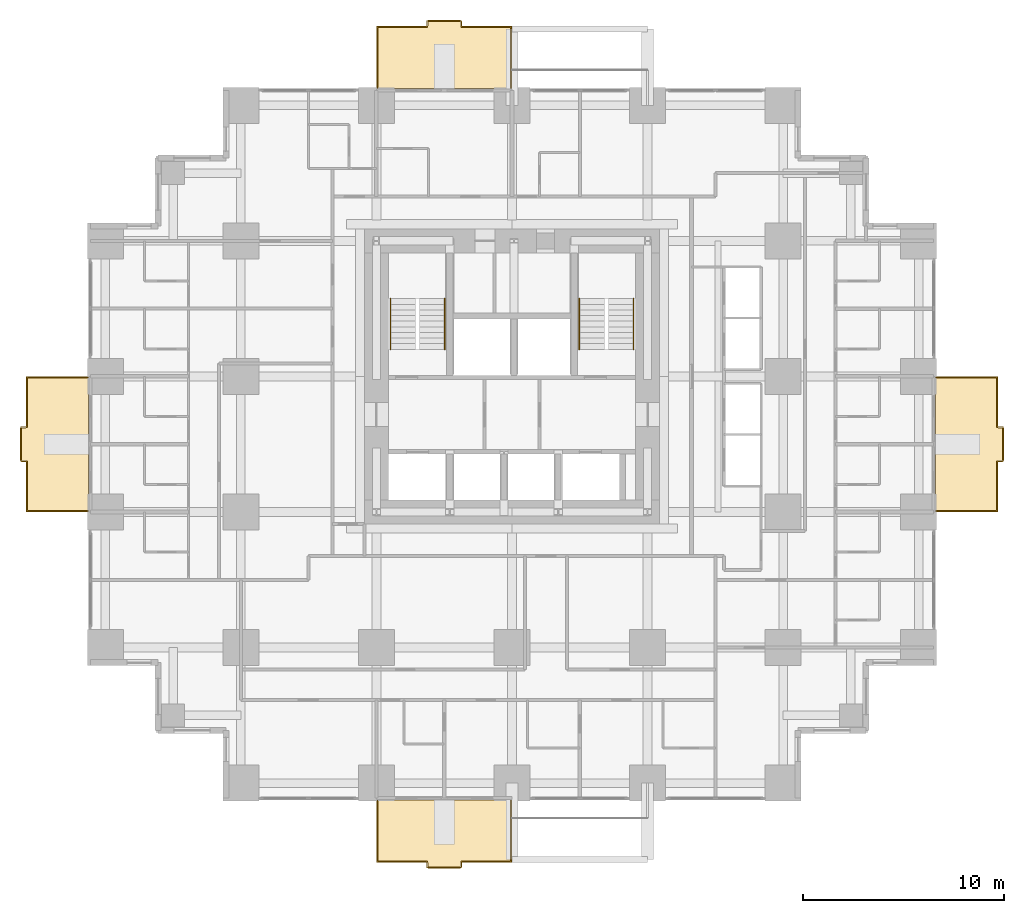
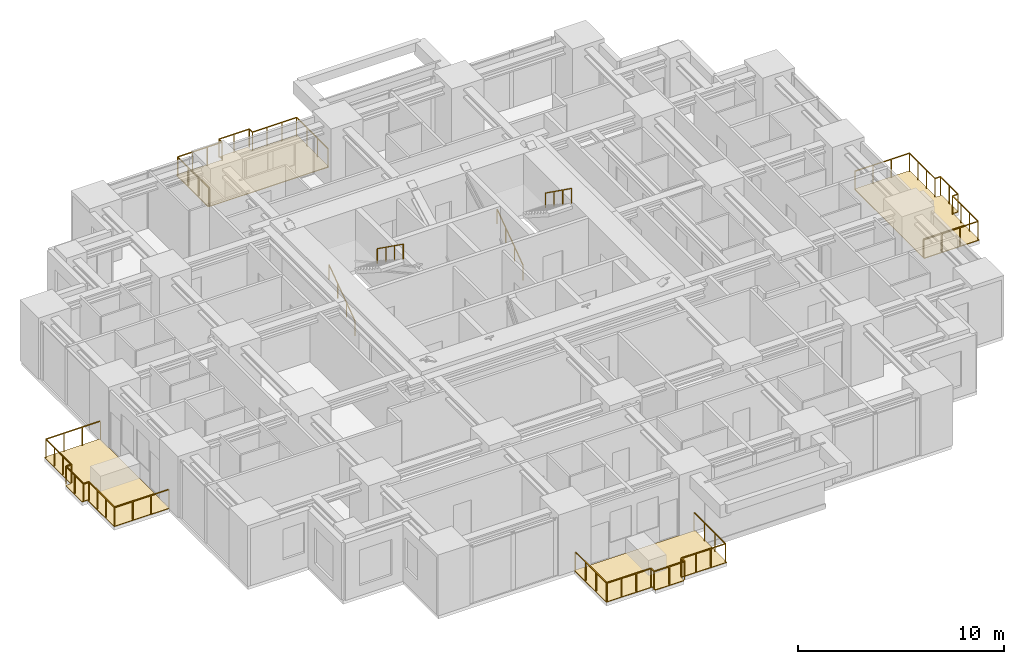
# One storey, part 13 of 13: 8 railings, 4 coverings.
"""IFC4 building model written with IfcOpenShell, lengths in metres."""

import ifcopenshell
import ifcopenshell.guid

model = None  # the IFC model being written
_history = None  # IfcOwnerHistory: only IFC2X3 demands one
_inside = {}  # id of a spatial element -> (the spatial element, [elements in it])
_under = {}  # id of a project, library or spatial element -> (it, [spatial elements below it])
_declared = {}  # id of a project -> (the project, [libraries it declares])
_typed = {}  # id of a type object -> (the type object, [elements of that type])
_made_of = {}  # id of a material, layer set ... -> (it, [elements and type objects made of it])


def new_model(schema):
    """Start an empty IFC model of exactly this schema.

    Asked for "IFC4X3", IfcOpenShell would pick the latest addendum, in which some entities
    have other attributes; the version numbers below select the first issue.
    IFC2X3 requires an IfcOwnerHistory on every rooted entity: one is made here for all.
    """
    global model, _history
    if schema == "IFC4X3":
        model = ifcopenshell.file(schema_version=(4, 3, 0, 0))
    else:
        model = ifcopenshell.file(schema=schema)
    _inside.clear()
    _under.clear()
    _declared.clear()
    _typed.clear()
    _made_of.clear()
    _history = None
    if model.schema == "IFC2X3":
        org = make("IfcOrganization", Name="unknown")
        user = make(
            "IfcPersonAndOrganization",
            ThePerson=make("IfcPerson", FamilyName="unknown"),
            TheOrganization=org,
        )
        app = make(
            "IfcApplication",
            ApplicationDeveloper=org,
            Version="unknown",
            ApplicationFullName="unknown",
            ApplicationIdentifier="unknown",
        )
        _history = make(
            "IfcOwnerHistory",
            OwningUser=user,
            OwningApplication=app,
            ChangeAction="ADDED",
            CreationDate=0,
        )
    return model


def make(cls, **values):
    """One entity of the class cls with the attributes given. An attribute that is None is left unset."""
    return model.create_entity(
        cls, **{name: value for name, value in values.items() if value is not None}
    )


def rooted(cls, **values):
    """An entity with a GlobalId (a new one), such as an element, a storey or a relation."""
    return make(cls, GlobalId=ifcopenshell.guid.new(), OwnerHistory=_history, **values)


def si_unit(unit_type, name, prefix=None):
    """IfcSIUnit, for example si_unit("LENGTHUNIT", "METRE", prefix="MILLI")."""
    return make("IfcSIUnit", UnitType=unit_type, Prefix=prefix, Name=name)


def assignment(units):
    """IfcUnitAssignment: the units of a project."""
    return None if units is None else make("IfcUnitAssignment", Units=units)


def point(xyz):
    """IfcCartesianPoint."""
    return None if xyz is None else make("IfcCartesianPoint", Coordinates=xyz)


def direction(xyz):
    """IfcDirection."""
    return None if xyz is None else make("IfcDirection", DirectionRatios=xyz)


def frame(location, z_axis=None, x_axis=None):
    """IfcAxis2Placement3D, a coordinate frame: its origin and axes. An axis left out is left unset."""
    return make(
        "IfcAxis2Placement3D",
        Location=point(location),
        Axis=direction(z_axis),
        RefDirection=direction(x_axis),
    )


def frame_2d(location, x_axis=None):
    """IfcAxis2Placement2D, a coordinate frame in the plane: its origin and x axis."""
    return make(
        "IfcAxis2Placement2D", Location=point(location), RefDirection=direction(x_axis)
    )


def origin():
    """The frame at (0, 0, 0) with its axes left unset."""
    return frame((0.0, 0.0, 0.0))


def origin_2d():
    """The frame at (0, 0) in the plane with its x axis left unset."""
    return frame_2d((0.0, 0.0))


def place(relative_to, where):
    """IfcLocalPlacement: puts the frame where relative to a parent placement (None: the world)."""
    return make(
        "IfcLocalPlacement", PlacementRelTo=relative_to, RelativePlacement=where
    )


def context(
    kind, dimensions, precision=None, world=None, true_north=None, identifier=None
):
    """IfcGeometricRepresentationContext, for example the 3D "Model" context."""
    return make(
        "IfcGeometricRepresentationContext",
        ContextIdentifier=identifier,
        ContextType=kind,
        CoordinateSpaceDimension=dimensions,
        Precision=precision,
        WorldCoordinateSystem=world,
        TrueNorth=true_north,
    )


def subcontext(parent, identifier, kind, view, scale=None):
    """IfcGeometricRepresentationSubContext, for example "Body" below "Model"."""
    return make(
        "IfcGeometricRepresentationSubContext",
        ContextIdentifier=identifier,
        ContextType=kind,
        ParentContext=parent,
        TargetScale=scale,
        TargetView=view,
    )


def project(units=None, contexts=None):
    """IfcProject with its units and contexts."""
    return rooted(
        "IfcProject",
        Name="project",
        RepresentationContexts=contexts,
        UnitsInContext=assignment(units),
    )


def spatial(cls, under=None, at=None, **own):
    """A site, building, storey or space (cls), placed at a placement, below another one or the project."""
    s = rooted(cls, ObjectPlacement=at, **own)
    if under is not None:
        _under.setdefault(under.id(), (under, []))[1].append(s)
    return s


def polyline(points):
    """IfcPolyline through the points."""
    return make("IfcPolyline", Points=[point(p) for p in points])


def profile(cls, at=None, kind="AREA", **sizes):
    """A parametric profile (cls). Its sizes go by their IFC names, for example OverallWidth=200.0."""
    return make(cls, ProfileType=kind, Position=at, **sizes)


def rectangle(**sizes):
    """IfcRectangleProfileDef."""
    return profile("IfcRectangleProfileDef", **sizes)


def outline(outer, holes=None, kind="AREA"):
    """IfcArbitraryClosedProfileDef: a profile drawn as a closed curve; with holes, ...WithVoids."""
    if holes is None:
        return make("IfcArbitraryClosedProfileDef", ProfileType=kind, OuterCurve=outer)
    return make(
        "IfcArbitraryProfileDefWithVoids",
        ProfileType=kind,
        OuterCurve=outer,
        InnerCurves=holes,
    )


def extrude(swept, where, along, depth):
    """IfcExtrudedAreaSolid: the profile swept, set in the frame where, extruded along a direction by depth."""
    return make(
        "IfcExtrudedAreaSolid",
        SweptArea=swept,
        Position=where,
        ExtrudedDirection=direction(along),
        Depth=depth,
    )


def shape(context_of_items, identifier, shape_type, items):
    """IfcShapeRepresentation: the items that make up one representation, for example the "Body"."""
    return make(
        "IfcShapeRepresentation",
        ContextOfItems=context_of_items,
        RepresentationIdentifier=identifier,
        RepresentationType=shape_type,
        Items=items,
    )


def material(Name=None, Category=None):
    """IfcMaterial."""
    return make("IfcMaterial", Name=Name, Category=Category)


def layer(
    of_material, thickness, ventilated=None, Name=None, Category=None, Priority=None
):
    """IfcMaterialLayer: one layer of a wall or slab, of a material (None: an air gap)."""
    return make(
        "IfcMaterialLayer",
        Material=of_material,
        LayerThickness=thickness,
        IsVentilated=ventilated,
        Name=Name,
        Category=Category,
        Priority=Priority,
    )


def layer_set(layers, Name=None):
    """IfcMaterialLayerSet."""
    return make("IfcMaterialLayerSet", MaterialLayers=layers, LayerSetName=Name)


def made_of(thing, what):
    """Note that an element or type object is made of a material, layer set ...; save() writes the relation."""
    if what is not None:
        _made_of.setdefault(what.id(), (what, []))[1].append(thing)
    return thing


def type_object(cls, material=None, **own):
    """A type object (cls), such as IfcWallType, which elements share."""
    return made_of(rooted(cls, **own), material)


def element(
    cls,
    number,
    at=None,
    inside=None,
    cuts=None,
    type_object=None,
    material=None,
    context=None,
    identifier="Body",
    shape_type=None,
    held_by="IfcProductDefinitionShape",
    body=None,
    shapes=None,
    **own,
):
    """One element of the class cls, such as IfcWall. Its Tag is "e" and its number.

    at: its placement. inside: the storey or other place that contains it. cuts: it is an
    opening in that element (IfcRelVoidsElement). A single representation is given by context,
    identifier, shape_type and body (its items); several are given by shapes. held_by: the class
    of the entity that holds the representations. save() writes the other relations.
    """
    e = rooted(cls, Tag="e%d" % number, ObjectPlacement=at, **own)
    if body is not None:
        shapes = [shape(context, identifier, shape_type, body)]
    if shapes is not None:
        e.Representation = make(held_by, Representations=shapes)
    if inside is not None:
        _inside.setdefault(inside.id(), (inside, []))[1].append(e)
    if cuts is not None:
        rooted(
            "IfcRelVoidsElement", RelatingBuildingElement=cuts, RelatedOpeningElement=e
        )
    if type_object is not None:
        _typed.setdefault(type_object.id(), (type_object, []))[1].append(e)
    return made_of(e, material)


def aggregate(whole, parts):
    """IfcRelAggregates: a whole, such as a stair, and the parts it consists of."""
    return rooted("IfcRelAggregates", RelatingObject=whole, RelatedObjects=parts)


def save(model, path):
    """Write the relations noted so far, then the file.

    IfcRelAggregates (storeys below a building ...), IfcRelContainedInSpatialStructure (elements
    in a storey), IfcRelDefinesByType, IfcRelAssociatesMaterial and IfcRelDeclares: one each for
    every whole, place, type object, material and project.
    """
    for whole, parts in _under.values():
        aggregate(whole, parts)
    for where, things in _inside.values():
        rooted(
            "IfcRelContainedInSpatialStructure",
            RelatedElements=things,
            RelatingStructure=where,
        )
    for kind, things in _typed.values():
        rooted("IfcRelDefinesByType", RelatedObjects=things, RelatingType=kind)
    for what, things in _made_of.values():
        rooted("IfcRelAssociatesMaterial", RelatedObjects=things, RelatingMaterial=what)
    for by, libraries in _declared.values():
        rooted("IfcRelDeclares", RelatingContext=by, RelatedDefinitions=libraries)
    model.write(path)


model = new_model("IFC4")

# Units and contexts
model_context = context("Model", 3, precision=1e-05, world=origin(), true_north=direction((0.0, 1.0)))
body_context = subcontext(model_context, "Body", "Model", "MODEL_VIEW")
ifc_project = project(units=[si_unit("LENGTHUNIT", "METRE"), si_unit("AREAUNIT", "SQUARE_METRE"), si_unit("VOLUMEUNIT", "CUBIC_METRE"), si_unit("PLANEANGLEUNIT", "RADIAN"), si_unit("MASSUNIT", "GRAM", prefix="KILO")], contexts=[model_context])

# Site, building, storey
site_placement = place(None, origin())
site = spatial("IfcSite", under=ifc_project, at=site_placement, CompositionType="ELEMENT")
building_placement = place(site_placement, origin())
building = spatial("IfcBuilding", under=site, at=building_placement, Name="Nyansa Garden Tower", CompositionType="ELEMENT")
storey_placement = place(building_placement, frame((0.0, 0.0, 94.5)))
storey = spatial("IfcBuildingStorey", under=building, at=storey_placement, Name="L25", CompositionType="ELEMENT", Elevation=94.5)

# Coverings
ifc_material_1 = material(Name="Hardwood decking on pedestals", Category="wood")
ifc_layer = layer(ifc_material_1, 0.0400390625)
ifc_layer_set = layer_set([ifc_layer], Name="Balcony decking DK40")
covering_type = type_object("IfcCoveringType", Name="Balcony decking DK40", PredefinedType="FLOORING", material=ifc_layer_set)
covering_1_placement = place(storey_placement, frame((0.0, 0.0, -0.0400390625)))
element("IfcCovering", 1, at=covering_1_placement, inside=storey, type_object=covering_type, Name="Balcony decking L25", PredefinedType="FLOORING", context=body_context, shape_type="SweptSolid", body=[
    extrude(outline(polyline([(13.5, -0.85009765625), (20.25, -0.85009765625), (20.25, -3.949951171875), (17.675048828125, -3.949951171875), (17.675048828125, -4.25), (16.074951171875, -4.25), (16.074951171875, -3.949951171875), (13.5, -3.949951171875), (13.5, -0.85009765625)])), origin(), (0.0, 0.0, 1.0), 0.0400390625),
])
covering_2_placement = place(storey_placement, frame((0.0, 0.0, -0.0400390625)))
element("IfcCovering", 2, at=covering_2_placement, inside=storey, type_object=covering_type, Name="Balcony decking L25", PredefinedType="FLOORING", context=body_context, shape_type="SweptSolid", body=[
    extrude(outline(polyline([(41.35009765625, 13.5), (41.35009765625, 20.25), (44.449951171875, 20.25), (44.449951171875, 17.675048828125), (44.75, 17.675048828125), (44.75, 16.074951171875), (44.449951171875, 16.074951171875), (44.449951171875, 13.5), (41.35009765625, 13.5)])), origin(), (0.0, 0.0, 1.0), 0.0400390625),
])
covering_3_placement = place(storey_placement, frame((0.0, 0.0, -0.0400390625)))
element("IfcCovering", 3, at=covering_3_placement, inside=storey, type_object=covering_type, Name="Balcony decking L25", PredefinedType="FLOORING", context=body_context, shape_type="SweptSolid", body=[
    extrude(outline(polyline([(13.5, 34.60009765625), (20.25, 34.60009765625), (20.25, 37.699951171875), (17.675048828125, 37.699951171875), (17.675048828125, 38.0), (16.074951171875, 38.0), (16.074951171875, 37.699951171875), (13.5, 37.699951171875), (13.5, 34.60009765625)])), origin(), (0.0, 0.0, 1.0), 0.0400390625),
])
covering_4_placement = place(storey_placement, frame((0.0, 0.0, -0.0400390625)))
element("IfcCovering", 4, at=covering_4_placement, inside=storey, type_object=covering_type, Name="Balcony decking L25", PredefinedType="FLOORING", context=body_context, shape_type="SweptSolid", body=[
    extrude(outline(polyline([(-0.85009765625, 13.5), (-0.85009765625, 20.25), (-3.949951171875, 20.25), (-3.949951171875, 17.675048828125), (-4.25, 17.675048828125), (-4.25, 16.074951171875), (-3.949951171875, 16.074951171875), (-3.949951171875, 13.5), (-0.85009765625, 13.5)])), origin(), (0.0, 0.0, 1.0), 0.0400390625),
])

# Railings
ifc_material_2 = material(Name="Black powder-coated steel balusters, laminated glass infill", Category="steel")
railing_type_1 = type_object("IfcRailingType", Name="Balcony guard G1", PredefinedType="GUARDRAIL", material=ifc_material_2)
railing_1_placement = place(storey_placement, frame((13.550048828125, -0.85009765625, 0.0)))
element("IfcRailing", 5, at=railing_1_placement, inside=storey, type_object=railing_type_1, Name="Balcony guard L25", PredefinedType="GUARDRAIL", context=body_context, shape_type="SweptSolid", body=[
    extrude(rectangle(XDim=0.048095703125, YDim=0.048095703125, at=origin_2d()), frame((0.0, 0.0, 1.076171875), z_axis=(0.0, -1.0, 0.0), x_axis=(1.0, 0.0, 0.0)), (0.0, 0.0, 1.0), 3.0498046875),
    extrude(rectangle(XDim=0.048095703125, YDim=0.048095703125, at=origin_2d()), frame((0.0, -3.0498046875, 1.076171875), z_axis=(1.0, 0.0, 0.0), x_axis=(0.0, 1.0, 0.0)), (0.0, 0.0, 1.0), 2.474853515625),
    extrude(rectangle(XDim=0.048095703125, YDim=0.048095703125, at=origin_2d()), frame((2.474853515625, -3.0498046875, 1.076171875), z_axis=(0.0, -1.0, 0.0), x_axis=(1.0, 0.0, 0.0)), (0.0, 0.0, 1.0), 0.300048828125),
    extrude(rectangle(XDim=0.048095703125, YDim=0.048095703125, at=origin_2d()), frame((2.474853515625, -3.349853515625, 1.076171875), z_axis=(1.0, 0.0, 0.0), x_axis=(0.0, 1.0, 0.0)), (0.0, 0.0, 1.0), 1.7001953125),
    extrude(rectangle(XDim=0.048095703125, YDim=0.048095703125, at=origin_2d()), frame((4.175048828125, -3.349853515625, 1.076171875), z_axis=(0.0, 1.0, 0.0), x_axis=(-1.0, 0.0, 0.0)), (0.0, 0.0, 1.0), 0.300048828125),
    extrude(rectangle(XDim=0.048095703125, YDim=0.048095703125, at=origin_2d()), frame((4.175048828125, -3.0498046875, 1.076171875), z_axis=(1.0, 0.0, 0.0), x_axis=(0.0, 1.0, 0.0)), (0.0, 0.0, 1.0), 2.474853515625),
    extrude(rectangle(XDim=0.048095703125, YDim=0.048095703125, at=origin_2d()), frame((6.64990234375, -3.0498046875, 1.076171875), z_axis=(0.0, 1.0, 0.0), x_axis=(-1.0, 0.0, 0.0)), (0.0, 0.0, 1.0), 3.0498046875),
    extrude(rectangle(XDim=0.0419921875, YDim=0.0419921875, at=origin_2d()), origin(), (0.0, 0.0, 1.0), 1.052001953125),
    extrude(rectangle(XDim=0.0419921875, YDim=0.0419921875, at=origin_2d()), frame((0.0, -1.0166015625, 0.0)), (0.0, 0.0, 1.0), 1.052001953125),
    extrude(rectangle(XDim=0.0419921875, YDim=0.0419921875, at=origin_2d()), frame((0.0, -2.033203125, 0.0)), (0.0, 0.0, 1.0), 1.052001953125),
    extrude(rectangle(XDim=0.0419921875, YDim=0.0419921875, at=origin_2d()), frame((0.0, -3.0498046875, 0.0)), (0.0, 0.0, 1.0), 1.052001953125),
    extrude(rectangle(XDim=0.0419921875, YDim=0.0419921875, at=origin_2d()), frame((0.824951171875, -3.0498046875, 0.0)), (0.0, 0.0, 1.0), 1.052001953125),
    extrude(rectangle(XDim=0.0419921875, YDim=0.0419921875, at=origin_2d()), frame((1.64990234375, -3.0498046875, 0.0)), (0.0, 0.0, 1.0), 1.052001953125),
    extrude(rectangle(XDim=0.0419921875, YDim=0.0419921875, at=origin_2d()), frame((2.474853515625, -3.0498046875, 0.0)), (0.0, 0.0, 1.0), 1.052001953125),
    extrude(rectangle(XDim=0.0419921875, YDim=0.0419921875, at=origin_2d()), frame((2.474853515625, -3.349853515625, 0.0)), (0.0, 0.0, 1.0), 1.052001953125),
    extrude(rectangle(XDim=0.0419921875, YDim=0.0419921875, at=origin_2d()), frame((3.324951171875, -3.349853515625, 0.0)), (0.0, 0.0, 1.0), 1.052001953125),
    extrude(rectangle(XDim=0.0419921875, YDim=0.0419921875, at=origin_2d()), frame((4.175048828125, -3.349853515625, 0.0)), (0.0, 0.0, 1.0), 1.052001953125),
    extrude(rectangle(XDim=0.0419921875, YDim=0.0419921875, at=origin_2d()), frame((4.175048828125, -3.0498046875, 0.0)), (0.0, 0.0, 1.0), 1.052001953125),
    extrude(rectangle(XDim=0.0419921875, YDim=0.0419921875, at=origin_2d()), frame((5.0, -3.0498046875, 0.0)), (0.0, 0.0, 1.0), 1.052001953125),
    extrude(rectangle(XDim=0.0419921875, YDim=0.0419921875, at=origin_2d()), frame((5.824951171875, -3.0498046875, 0.0)), (0.0, 0.0, 1.0), 1.052001953125),
    extrude(rectangle(XDim=0.0419921875, YDim=0.0419921875, at=origin_2d()), frame((6.64990234375, -3.0498046875, 0.0)), (0.0, 0.0, 1.0), 1.052001953125),
    extrude(rectangle(XDim=0.0419921875, YDim=0.0419921875, at=origin_2d()), frame((6.64990234375, -2.033203125, 0.0)), (0.0, 0.0, 1.0), 1.052001953125),
    extrude(rectangle(XDim=0.0419921875, YDim=0.0419921875, at=origin_2d()), frame((6.64990234375, -1.0166015625, 0.0)), (0.0, 0.0, 1.0), 1.052001953125),
    extrude(rectangle(XDim=0.0419921875, YDim=0.0419921875, at=origin_2d()), frame((6.64990234375, 0.0, 0.0)), (0.0, 0.0, 1.0), 1.052001953125),
])
railing_2_placement = place(storey_placement, frame((41.35009765625, 13.550048828125, 0.0)))
element("IfcRailing", 6, at=railing_2_placement, inside=storey, type_object=railing_type_1, Name="Balcony guard L25", PredefinedType="GUARDRAIL", context=body_context, shape_type="SweptSolid", body=[
    extrude(rectangle(XDim=0.048095703125, YDim=0.048095703125, at=origin_2d()), frame((0.0, 0.0, 1.076171875), z_axis=(1.0, 0.0, 0.0), x_axis=(0.0, 1.0, 0.0)), (0.0, 0.0, 1.0), 3.0498046875),
    extrude(rectangle(XDim=0.048095703125, YDim=0.048095703125, at=origin_2d()), frame((3.0498046875, 0.0, 1.076171875), z_axis=(0.0, 1.0, 0.0), x_axis=(-1.0, 0.0, 0.0)), (0.0, 0.0, 1.0), 2.474853515625),
    extrude(rectangle(XDim=0.048095703125, YDim=0.048095703125, at=origin_2d()), frame((3.0498046875, 2.474853515625, 1.076171875), z_axis=(1.0, 0.0, 0.0), x_axis=(0.0, 1.0, 0.0)), (0.0, 0.0, 1.0), 0.300048828125),
    extrude(rectangle(XDim=0.048095703125, YDim=0.048095703125, at=origin_2d()), frame((3.349853515625, 2.474853515625, 1.076171875), z_axis=(0.0, 1.0, 0.0), x_axis=(-1.0, 0.0, 0.0)), (0.0, 0.0, 1.0), 1.7001953125),
    extrude(rectangle(XDim=0.048095703125, YDim=0.048095703125, at=origin_2d()), frame((3.349853515625, 4.175048828125, 1.076171875), z_axis=(-1.0, 0.0, 0.0), x_axis=(0.0, -1.0, 0.0)), (0.0, 0.0, 1.0), 0.300048828125),
    extrude(rectangle(XDim=0.048095703125, YDim=0.048095703125, at=origin_2d()), frame((3.0498046875, 4.175048828125, 1.076171875), z_axis=(0.0, 1.0, 0.0), x_axis=(-1.0, 0.0, 0.0)), (0.0, 0.0, 1.0), 2.474853515625),
    extrude(rectangle(XDim=0.048095703125, YDim=0.048095703125, at=origin_2d()), frame((3.0498046875, 6.64990234375, 1.076171875), z_axis=(-1.0, 0.0, 0.0), x_axis=(0.0, -1.0, 0.0)), (0.0, 0.0, 1.0), 3.0498046875),
    extrude(rectangle(XDim=0.0419921875, YDim=0.0419921875, at=origin_2d()), origin(), (0.0, 0.0, 1.0), 1.052001953125),
    extrude(rectangle(XDim=0.0419921875, YDim=0.0419921875, at=origin_2d()), frame((1.0166015625, 0.0, 0.0)), (0.0, 0.0, 1.0), 1.052001953125),
    extrude(rectangle(XDim=0.0419921875, YDim=0.0419921875, at=origin_2d()), frame((2.033203125, 0.0, 0.0)), (0.0, 0.0, 1.0), 1.052001953125),
    extrude(rectangle(XDim=0.0419921875, YDim=0.0419921875, at=origin_2d()), frame((3.0498046875, 0.0, 0.0)), (0.0, 0.0, 1.0), 1.052001953125),
    extrude(rectangle(XDim=0.0419921875, YDim=0.0419921875, at=origin_2d()), frame((3.0498046875, 0.824951171875, 0.0)), (0.0, 0.0, 1.0), 1.052001953125),
    extrude(rectangle(XDim=0.0419921875, YDim=0.0419921875, at=origin_2d()), frame((3.0498046875, 1.64990234375, 0.0)), (0.0, 0.0, 1.0), 1.052001953125),
    extrude(rectangle(XDim=0.0419921875, YDim=0.0419921875, at=origin_2d()), frame((3.0498046875, 2.474853515625, 0.0)), (0.0, 0.0, 1.0), 1.052001953125),
    extrude(rectangle(XDim=0.0419921875, YDim=0.0419921875, at=origin_2d()), frame((3.349853515625, 2.474853515625, 0.0)), (0.0, 0.0, 1.0), 1.052001953125),
    extrude(rectangle(XDim=0.0419921875, YDim=0.0419921875, at=origin_2d()), frame((3.349853515625, 3.324951171875, 0.0)), (0.0, 0.0, 1.0), 1.052001953125),
    extrude(rectangle(XDim=0.0419921875, YDim=0.0419921875, at=origin_2d()), frame((3.349853515625, 4.175048828125, 0.0)), (0.0, 0.0, 1.0), 1.052001953125),
    extrude(rectangle(XDim=0.0419921875, YDim=0.0419921875, at=origin_2d()), frame((3.0498046875, 4.175048828125, 0.0)), (0.0, 0.0, 1.0), 1.052001953125),
    extrude(rectangle(XDim=0.0419921875, YDim=0.0419921875, at=origin_2d()), frame((3.0498046875, 5.0, 0.0)), (0.0, 0.0, 1.0), 1.052001953125),
    extrude(rectangle(XDim=0.0419921875, YDim=0.0419921875, at=origin_2d()), frame((3.0498046875, 5.824951171875, 0.0)), (0.0, 0.0, 1.0), 1.052001953125),
    extrude(rectangle(XDim=0.0419921875, YDim=0.0419921875, at=origin_2d()), frame((3.0498046875, 6.64990234375, 0.0)), (0.0, 0.0, 1.0), 1.052001953125),
    extrude(rectangle(XDim=0.0419921875, YDim=0.0419921875, at=origin_2d()), frame((2.033203125, 6.64990234375, 0.0)), (0.0, 0.0, 1.0), 1.052001953125),
    extrude(rectangle(XDim=0.0419921875, YDim=0.0419921875, at=origin_2d()), frame((1.0166015625, 6.64990234375, 0.0)), (0.0, 0.0, 1.0), 1.052001953125),
    extrude(rectangle(XDim=0.0419921875, YDim=0.0419921875, at=origin_2d()), frame((0.0, 6.64990234375, 0.0)), (0.0, 0.0, 1.0), 1.052001953125),
])
railing_3_placement = place(storey_placement, frame((13.550048828125, 34.60009765625, 0.0)))
element("IfcRailing", 7, at=railing_3_placement, inside=storey, type_object=railing_type_1, Name="Balcony guard L25", PredefinedType="GUARDRAIL", context=body_context, shape_type="SweptSolid", body=[
    extrude(rectangle(XDim=0.048095703125, YDim=0.048095703125, at=origin_2d()), frame((0.0, 0.0, 1.076171875), z_axis=(0.0, 1.0, 0.0), x_axis=(-1.0, 0.0, 0.0)), (0.0, 0.0, 1.0), 3.0498046875),
    extrude(rectangle(XDim=0.048095703125, YDim=0.048095703125, at=origin_2d()), frame((0.0, 3.0498046875, 1.076171875), z_axis=(1.0, 0.0, 0.0), x_axis=(0.0, 1.0, 0.0)), (0.0, 0.0, 1.0), 2.474853515625),
    extrude(rectangle(XDim=0.048095703125, YDim=0.048095703125, at=origin_2d()), frame((2.474853515625, 3.0498046875, 1.076171875), z_axis=(0.0, 1.0, 0.0), x_axis=(-1.0, 0.0, 0.0)), (0.0, 0.0, 1.0), 0.300048828125),
    extrude(rectangle(XDim=0.048095703125, YDim=0.048095703125, at=origin_2d()), frame((2.474853515625, 3.349853515625, 1.076171875), z_axis=(1.0, 0.0, 0.0), x_axis=(0.0, 1.0, 0.0)), (0.0, 0.0, 1.0), 1.7001953125),
    extrude(rectangle(XDim=0.048095703125, YDim=0.048095703125, at=origin_2d()), frame((4.175048828125, 3.349853515625, 1.076171875), z_axis=(0.0, -1.0, 0.0), x_axis=(1.0, 0.0, 0.0)), (0.0, 0.0, 1.0), 0.300048828125),
    extrude(rectangle(XDim=0.048095703125, YDim=0.048095703125, at=origin_2d()), frame((4.175048828125, 3.0498046875, 1.076171875), z_axis=(1.0, 0.0, 0.0), x_axis=(0.0, 1.0, 0.0)), (0.0, 0.0, 1.0), 2.474853515625),
    extrude(rectangle(XDim=0.048095703125, YDim=0.048095703125, at=origin_2d()), frame((6.64990234375, 3.0498046875, 1.076171875), z_axis=(0.0, -1.0, 0.0), x_axis=(1.0, 0.0, 0.0)), (0.0, 0.0, 1.0), 3.0498046875),
    extrude(rectangle(XDim=0.0419921875, YDim=0.0419921875, at=origin_2d()), origin(), (0.0, 0.0, 1.0), 1.052001953125),
    extrude(rectangle(XDim=0.0419921875, YDim=0.0419921875, at=origin_2d()), frame((0.0, 1.0166015625, 0.0)), (0.0, 0.0, 1.0), 1.052001953125),
    extrude(rectangle(XDim=0.0419921875, YDim=0.0419921875, at=origin_2d()), frame((0.0, 2.033203125, 0.0)), (0.0, 0.0, 1.0), 1.052001953125),
    extrude(rectangle(XDim=0.0419921875, YDim=0.0419921875, at=origin_2d()), frame((0.0, 3.0498046875, 0.0)), (0.0, 0.0, 1.0), 1.052001953125),
    extrude(rectangle(XDim=0.0419921875, YDim=0.0419921875, at=origin_2d()), frame((0.824951171875, 3.0498046875, 0.0)), (0.0, 0.0, 1.0), 1.052001953125),
    extrude(rectangle(XDim=0.0419921875, YDim=0.0419921875, at=origin_2d()), frame((1.64990234375, 3.0498046875, 0.0)), (0.0, 0.0, 1.0), 1.052001953125),
    extrude(rectangle(XDim=0.0419921875, YDim=0.0419921875, at=origin_2d()), frame((2.474853515625, 3.0498046875, 0.0)), (0.0, 0.0, 1.0), 1.052001953125),
    extrude(rectangle(XDim=0.0419921875, YDim=0.0419921875, at=origin_2d()), frame((2.474853515625, 3.349853515625, 0.0)), (0.0, 0.0, 1.0), 1.052001953125),
    extrude(rectangle(XDim=0.0419921875, YDim=0.0419921875, at=origin_2d()), frame((3.324951171875, 3.349853515625, 0.0)), (0.0, 0.0, 1.0), 1.052001953125),
    extrude(rectangle(XDim=0.0419921875, YDim=0.0419921875, at=origin_2d()), frame((4.175048828125, 3.349853515625, 0.0)), (0.0, 0.0, 1.0), 1.052001953125),
    extrude(rectangle(XDim=0.0419921875, YDim=0.0419921875, at=origin_2d()), frame((4.175048828125, 3.0498046875, 0.0)), (0.0, 0.0, 1.0), 1.052001953125),
    extrude(rectangle(XDim=0.0419921875, YDim=0.0419921875, at=origin_2d()), frame((5.0, 3.0498046875, 0.0)), (0.0, 0.0, 1.0), 1.052001953125),
    extrude(rectangle(XDim=0.0419921875, YDim=0.0419921875, at=origin_2d()), frame((5.824951171875, 3.0498046875, 0.0)), (0.0, 0.0, 1.0), 1.052001953125),
    extrude(rectangle(XDim=0.0419921875, YDim=0.0419921875, at=origin_2d()), frame((6.64990234375, 3.0498046875, 0.0)), (0.0, 0.0, 1.0), 1.052001953125),
    extrude(rectangle(XDim=0.0419921875, YDim=0.0419921875, at=origin_2d()), frame((6.64990234375, 2.033203125, 0.0)), (0.0, 0.0, 1.0), 1.052001953125),
    extrude(rectangle(XDim=0.0419921875, YDim=0.0419921875, at=origin_2d()), frame((6.64990234375, 1.0166015625, 0.0)), (0.0, 0.0, 1.0), 1.052001953125),
    extrude(rectangle(XDim=0.0419921875, YDim=0.0419921875, at=origin_2d()), frame((6.64990234375, 0.0, 0.0)), (0.0, 0.0, 1.0), 1.052001953125),
])
railing_4_placement = place(storey_placement, frame((-0.85009765625, 13.550048828125, 0.0)))
element("IfcRailing", 8, at=railing_4_placement, inside=storey, type_object=railing_type_1, Name="Balcony guard L25", PredefinedType="GUARDRAIL", context=body_context, shape_type="SweptSolid", body=[
    extrude(rectangle(XDim=0.048095703125, YDim=0.048095703125, at=origin_2d()), frame((0.0, 0.0, 1.076171875), z_axis=(-1.0, 0.0, 0.0), x_axis=(0.0, -1.0, 0.0)), (0.0, 0.0, 1.0), 3.0498046875),
    extrude(rectangle(XDim=0.048095703125, YDim=0.048095703125, at=origin_2d()), frame((-3.0498046875, 0.0, 1.076171875), z_axis=(0.0, 1.0, 0.0), x_axis=(-1.0, 0.0, 0.0)), (0.0, 0.0, 1.0), 2.474853515625),
    extrude(rectangle(XDim=0.048095703125, YDim=0.048095703125, at=origin_2d()), frame((-3.0498046875, 2.474853515625, 1.076171875), z_axis=(-1.0, 0.0, 0.0), x_axis=(0.0, -1.0, 0.0)), (0.0, 0.0, 1.0), 0.300048828125),
    extrude(rectangle(XDim=0.048095703125, YDim=0.048095703125, at=origin_2d()), frame((-3.349853515625, 2.474853515625, 1.076171875), z_axis=(0.0, 1.0, 0.0), x_axis=(-1.0, 0.0, 0.0)), (0.0, 0.0, 1.0), 1.7001953125),
    extrude(rectangle(XDim=0.048095703125, YDim=0.048095703125, at=origin_2d()), frame((-3.349853515625, 4.175048828125, 1.076171875), z_axis=(1.0, 0.0, 0.0), x_axis=(0.0, 1.0, 0.0)), (0.0, 0.0, 1.0), 0.300048828125),
    extrude(rectangle(XDim=0.048095703125, YDim=0.048095703125, at=origin_2d()), frame((-3.0498046875, 4.175048828125, 1.076171875), z_axis=(0.0, 1.0, 0.0), x_axis=(-1.0, 0.0, 0.0)), (0.0, 0.0, 1.0), 2.474853515625),
    extrude(rectangle(XDim=0.048095703125, YDim=0.048095703125, at=origin_2d()), frame((-3.0498046875, 6.64990234375, 1.076171875), z_axis=(1.0, 0.0, 0.0), x_axis=(0.0, 1.0, 0.0)), (0.0, 0.0, 1.0), 3.0498046875),
    extrude(rectangle(XDim=0.0419921875, YDim=0.0419921875, at=origin_2d()), origin(), (0.0, 0.0, 1.0), 1.052001953125),
    extrude(rectangle(XDim=0.0419921875, YDim=0.0419921875, at=origin_2d()), frame((-1.0166015625, 0.0, 0.0)), (0.0, 0.0, 1.0), 1.052001953125),
    extrude(rectangle(XDim=0.0419921875, YDim=0.0419921875, at=origin_2d()), frame((-2.033203125, 0.0, 0.0)), (0.0, 0.0, 1.0), 1.052001953125),
    extrude(rectangle(XDim=0.0419921875, YDim=0.0419921875, at=origin_2d()), frame((-3.0498046875, 0.0, 0.0)), (0.0, 0.0, 1.0), 1.052001953125),
    extrude(rectangle(XDim=0.0419921875, YDim=0.0419921875, at=origin_2d()), frame((-3.0498046875, 0.824951171875, 0.0)), (0.0, 0.0, 1.0), 1.052001953125),
    extrude(rectangle(XDim=0.0419921875, YDim=0.0419921875, at=origin_2d()), frame((-3.0498046875, 1.64990234375, 0.0)), (0.0, 0.0, 1.0), 1.052001953125),
    extrude(rectangle(XDim=0.0419921875, YDim=0.0419921875, at=origin_2d()), frame((-3.0498046875, 2.474853515625, 0.0)), (0.0, 0.0, 1.0), 1.052001953125),
    extrude(rectangle(XDim=0.0419921875, YDim=0.0419921875, at=origin_2d()), frame((-3.349853515625, 2.474853515625, 0.0)), (0.0, 0.0, 1.0), 1.052001953125),
    extrude(rectangle(XDim=0.0419921875, YDim=0.0419921875, at=origin_2d()), frame((-3.349853515625, 3.324951171875, 0.0)), (0.0, 0.0, 1.0), 1.052001953125),
    extrude(rectangle(XDim=0.0419921875, YDim=0.0419921875, at=origin_2d()), frame((-3.349853515625, 4.175048828125, 0.0)), (0.0, 0.0, 1.0), 1.052001953125),
    extrude(rectangle(XDim=0.0419921875, YDim=0.0419921875, at=origin_2d()), frame((-3.0498046875, 4.175048828125, 0.0)), (0.0, 0.0, 1.0), 1.052001953125),
    extrude(rectangle(XDim=0.0419921875, YDim=0.0419921875, at=origin_2d()), frame((-3.0498046875, 5.0, 0.0)), (0.0, 0.0, 1.0), 1.052001953125),
    extrude(rectangle(XDim=0.0419921875, YDim=0.0419921875, at=origin_2d()), frame((-3.0498046875, 5.824951171875, 0.0)), (0.0, 0.0, 1.0), 1.052001953125),
    extrude(rectangle(XDim=0.0419921875, YDim=0.0419921875, at=origin_2d()), frame((-3.0498046875, 6.64990234375, 0.0)), (0.0, 0.0, 1.0), 1.052001953125),
    extrude(rectangle(XDim=0.0419921875, YDim=0.0419921875, at=origin_2d()), frame((-2.033203125, 6.64990234375, 0.0)), (0.0, 0.0, 1.0), 1.052001953125),
    extrude(rectangle(XDim=0.0419921875, YDim=0.0419921875, at=origin_2d()), frame((-1.0166015625, 6.64990234375, 0.0)), (0.0, 0.0, 1.0), 1.052001953125),
    extrude(rectangle(XDim=0.0419921875, YDim=0.0419921875, at=origin_2d()), frame((0.0, 6.64990234375, 0.0)), (0.0, 0.0, 1.0), 1.052001953125),
])
ifc_material_3 = material(Name="Black powder-coated steel tube 48 mm", Category="steel")
railing_type_2 = type_object("IfcRailingType", Name="Stair handrail HR1", PredefinedType="HANDRAIL", material=ifc_material_3)
railing_5_placement = place(storey_placement, frame((14.199951171875, 21.60009765625, 0.0)))
element("IfcRailing", 9, at=railing_5_placement, inside=storey, type_object=railing_type_2, Name="Stair S1 handrail L25", PredefinedType="HANDRAIL", context=body_context, shape_type="SweptSolid", body=[
    extrude(rectangle(XDim=0.048095703125, YDim=0.048095703125, at=origin_2d()), frame((0.0, 0.0, 0.8759765625), z_axis=(0.0, 0.813728144527, 0.581245650998), x_axis=(-1.0, 0.0, 0.0)), (0.0, 0.0, 1.0), 3.096923828125),
    extrude(rectangle(XDim=0.0419921875, YDim=0.0419921875, at=origin_2d()), origin(), (0.0, 0.0, 1.0), 0.851806640625),
    extrude(rectangle(XDim=0.0419921875, YDim=0.0419921875, at=origin_2d()), frame((0.0, 0.840087890625, 0.60009765625)), (0.0, 0.0, 1.0), 0.851806640625),
    extrude(rectangle(XDim=0.0419921875, YDim=0.0419921875, at=origin_2d()), frame((0.0, 1.679931640625, 1.199951171875)), (0.0, 0.0, 1.0), 0.851806640625),
    extrude(rectangle(XDim=0.0419921875, YDim=0.0419921875, at=origin_2d()), frame((0.0, 2.52001953125, 1.800048828125)), (0.0, 0.0, 1.0), 0.851806640625),
])
railing_6_placement = place(storey_placement, frame((16.89990234375, 24.1201171875, 1.800048828125)))
element("IfcRailing", 10, at=railing_6_placement, inside=storey, type_object=railing_type_2, Name="Stair S1 handrail L25", PredefinedType="HANDRAIL", context=body_context, shape_type="SweptSolid", body=[
    extrude(rectangle(XDim=0.048095703125, YDim=0.048095703125, at=origin_2d()), frame((0.0, 0.0, 0.8759765625), z_axis=(0.0, -0.813728144527, 0.581245650998), x_axis=(1.0, 0.0, 0.0)), (0.0, 0.0, 1.0), 3.096923828125),
    extrude(rectangle(XDim=0.0419921875, YDim=0.0419921875, at=origin_2d()), origin(), (0.0, 0.0, 1.0), 0.851806640625),
    extrude(rectangle(XDim=0.0419921875, YDim=0.0419921875, at=origin_2d()), frame((0.0, -0.840087890625, 0.60009765625)), (0.0, 0.0, 1.0), 0.851806640625),
    extrude(rectangle(XDim=0.0419921875, YDim=0.0419921875, at=origin_2d()), frame((0.0, -1.679931640625, 1.199951171875)), (0.0, 0.0, 1.0), 0.851806640625),
    extrude(rectangle(XDim=0.0419921875, YDim=0.0419921875, at=origin_2d()), frame((0.0, -2.52001953125, 1.800048828125)), (0.0, 0.0, 1.0), 0.851806640625),
])
railing_7_placement = place(storey_placement, frame((23.60009765625, 21.60009765625, 0.0)))
element("IfcRailing", 11, at=railing_7_placement, inside=storey, type_object=railing_type_2, Name="Stair S2 handrail L25", PredefinedType="HANDRAIL", context=body_context, shape_type="SweptSolid", body=[
    extrude(rectangle(XDim=0.048095703125, YDim=0.048095703125, at=origin_2d()), frame((0.0, 0.0, 0.8759765625), z_axis=(0.0, 0.813728144527, 0.581245650998), x_axis=(-1.0, 0.0, 0.0)), (0.0, 0.0, 1.0), 3.096923828125),
    extrude(rectangle(XDim=0.0419921875, YDim=0.0419921875, at=origin_2d()), origin(), (0.0, 0.0, 1.0), 0.851806640625),
    extrude(rectangle(XDim=0.0419921875, YDim=0.0419921875, at=origin_2d()), frame((0.0, 0.840087890625, 0.60009765625)), (0.0, 0.0, 1.0), 0.851806640625),
    extrude(rectangle(XDim=0.0419921875, YDim=0.0419921875, at=origin_2d()), frame((0.0, 1.679931640625, 1.199951171875)), (0.0, 0.0, 1.0), 0.851806640625),
    extrude(rectangle(XDim=0.0419921875, YDim=0.0419921875, at=origin_2d()), frame((0.0, 2.52001953125, 1.800048828125)), (0.0, 0.0, 1.0), 0.851806640625),
])
railing_8_placement = place(storey_placement, frame((26.300048828125, 24.1201171875, 1.800048828125)))
element("IfcRailing", 12, at=railing_8_placement, inside=storey, type_object=railing_type_2, Name="Stair S2 handrail L25", PredefinedType="HANDRAIL", context=body_context, shape_type="SweptSolid", body=[
    extrude(rectangle(XDim=0.048095703125, YDim=0.048095703125, at=origin_2d()), frame((0.0, 0.0, 0.8759765625), z_axis=(0.0, -0.813728144527, 0.581245650998), x_axis=(1.0, 0.0, 0.0)), (0.0, 0.0, 1.0), 3.096923828125),
    extrude(rectangle(XDim=0.0419921875, YDim=0.0419921875, at=origin_2d()), origin(), (0.0, 0.0, 1.0), 0.851806640625),
    extrude(rectangle(XDim=0.0419921875, YDim=0.0419921875, at=origin_2d()), frame((0.0, -0.840087890625, 0.60009765625)), (0.0, 0.0, 1.0), 0.851806640625),
    extrude(rectangle(XDim=0.0419921875, YDim=0.0419921875, at=origin_2d()), frame((0.0, -1.679931640625, 1.199951171875)), (0.0, 0.0, 1.0), 0.851806640625),
    extrude(rectangle(XDim=0.0419921875, YDim=0.0419921875, at=origin_2d()), frame((0.0, -2.52001953125, 1.800048828125)), (0.0, 0.0, 1.0), 0.851806640625),
])

save(model, "model.ifc")
